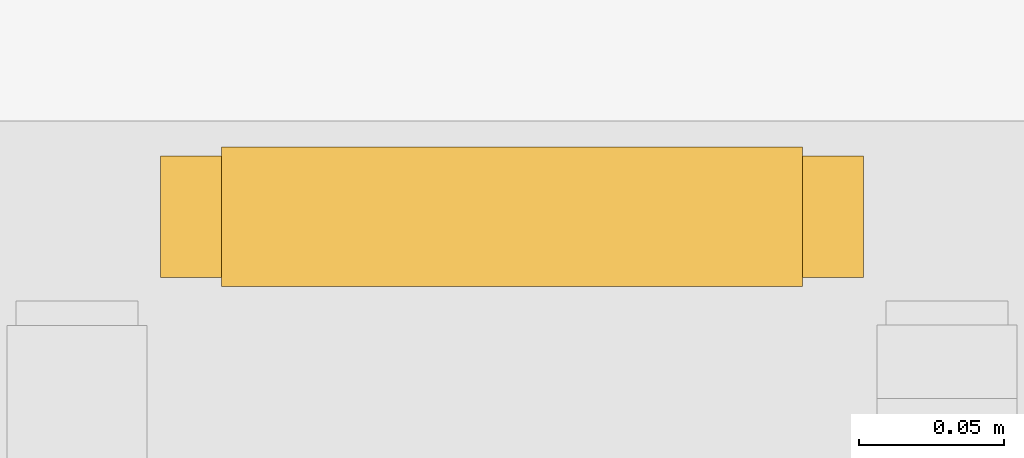
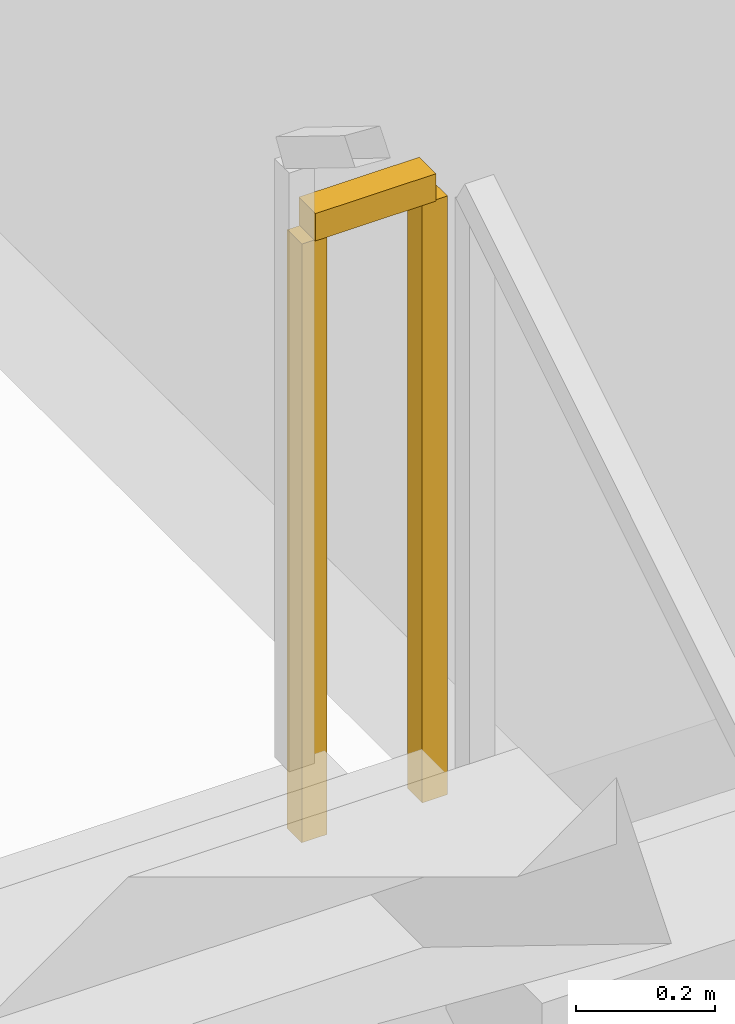
# One storey, part 12 of 13: 1 railing.
"""IFC4 building model written with IfcOpenShell, lengths in metres."""

import ifcopenshell
import ifcopenshell.guid

model = None  # the IFC model being written
_history = None  # IfcOwnerHistory: only IFC2X3 demands one
_inside = {}  # id of a spatial element -> (the spatial element, [elements in it])
_under = {}  # id of a project, library or spatial element -> (it, [spatial elements below it])
_declared = {}  # id of a project -> (the project, [libraries it declares])
_typed = {}  # id of a type object -> (the type object, [elements of that type])
_made_of = {}  # id of a material, layer set ... -> (it, [elements and type objects made of it])


def new_model(schema):
    """Start an empty IFC model of exactly this schema.

    Asked for "IFC4X3", IfcOpenShell would pick the latest addendum, in which some entities
    have other attributes; the version numbers below select the first issue.
    IFC2X3 requires an IfcOwnerHistory on every rooted entity: one is made here for all.
    """
    global model, _history
    if schema == "IFC4X3":
        model = ifcopenshell.file(schema_version=(4, 3, 0, 0))
    else:
        model = ifcopenshell.file(schema=schema)
    _inside.clear()
    _under.clear()
    _declared.clear()
    _typed.clear()
    _made_of.clear()
    _history = None
    if model.schema == "IFC2X3":
        org = make("IfcOrganization", Name="unknown")
        user = make(
            "IfcPersonAndOrganization",
            ThePerson=make("IfcPerson", FamilyName="unknown"),
            TheOrganization=org,
        )
        app = make(
            "IfcApplication",
            ApplicationDeveloper=org,
            Version="unknown",
            ApplicationFullName="unknown",
            ApplicationIdentifier="unknown",
        )
        _history = make(
            "IfcOwnerHistory",
            OwningUser=user,
            OwningApplication=app,
            ChangeAction="ADDED",
            CreationDate=0,
        )
    return model


def make(cls, **values):
    """One entity of the class cls with the attributes given. An attribute that is None is left unset."""
    return model.create_entity(
        cls, **{name: value for name, value in values.items() if value is not None}
    )


def rooted(cls, **values):
    """An entity with a GlobalId (a new one), such as an element, a storey or a relation."""
    return make(cls, GlobalId=ifcopenshell.guid.new(), OwnerHistory=_history, **values)


def si_unit(unit_type, name, prefix=None):
    """IfcSIUnit, for example si_unit("LENGTHUNIT", "METRE", prefix="MILLI")."""
    return make("IfcSIUnit", UnitType=unit_type, Prefix=prefix, Name=name)


def assignment(units):
    """IfcUnitAssignment: the units of a project."""
    return None if units is None else make("IfcUnitAssignment", Units=units)


def point(xyz):
    """IfcCartesianPoint."""
    return None if xyz is None else make("IfcCartesianPoint", Coordinates=xyz)


def direction(xyz):
    """IfcDirection."""
    return None if xyz is None else make("IfcDirection", DirectionRatios=xyz)


def frame(location, z_axis=None, x_axis=None):
    """IfcAxis2Placement3D, a coordinate frame: its origin and axes. An axis left out is left unset."""
    return make(
        "IfcAxis2Placement3D",
        Location=point(location),
        Axis=direction(z_axis),
        RefDirection=direction(x_axis),
    )


def frame_2d(location, x_axis=None):
    """IfcAxis2Placement2D, a coordinate frame in the plane: its origin and x axis."""
    return make(
        "IfcAxis2Placement2D", Location=point(location), RefDirection=direction(x_axis)
    )


def origin():
    """The frame at (0, 0, 0) with its axes left unset."""
    return frame((0.0, 0.0, 0.0))


def origin_2d():
    """The frame at (0, 0) in the plane with its x axis left unset."""
    return frame_2d((0.0, 0.0))


def place(relative_to, where):
    """IfcLocalPlacement: puts the frame where relative to a parent placement (None: the world)."""
    return make(
        "IfcLocalPlacement", PlacementRelTo=relative_to, RelativePlacement=where
    )


def context(
    kind, dimensions, precision=None, world=None, true_north=None, identifier=None
):
    """IfcGeometricRepresentationContext, for example the 3D "Model" context."""
    return make(
        "IfcGeometricRepresentationContext",
        ContextIdentifier=identifier,
        ContextType=kind,
        CoordinateSpaceDimension=dimensions,
        Precision=precision,
        WorldCoordinateSystem=world,
        TrueNorth=true_north,
    )


def subcontext(parent, identifier, kind, view, scale=None):
    """IfcGeometricRepresentationSubContext, for example "Body" below "Model"."""
    return make(
        "IfcGeometricRepresentationSubContext",
        ContextIdentifier=identifier,
        ContextType=kind,
        ParentContext=parent,
        TargetScale=scale,
        TargetView=view,
    )


def project(units=None, contexts=None):
    """IfcProject with its units and contexts."""
    return rooted(
        "IfcProject",
        Name="project",
        RepresentationContexts=contexts,
        UnitsInContext=assignment(units),
    )


def spatial(cls, under=None, at=None, **own):
    """A site, building, storey or space (cls), placed at a placement, below another one or the project."""
    s = rooted(cls, ObjectPlacement=at, **own)
    if under is not None:
        _under.setdefault(under.id(), (under, []))[1].append(s)
    return s


def profile(cls, at=None, kind="AREA", **sizes):
    """A parametric profile (cls). Its sizes go by their IFC names, for example OverallWidth=200.0."""
    return make(cls, ProfileType=kind, Position=at, **sizes)


def rectangle(**sizes):
    """IfcRectangleProfileDef."""
    return profile("IfcRectangleProfileDef", **sizes)


def extrude(swept, where, along, depth):
    """IfcExtrudedAreaSolid: the profile swept, set in the frame where, extruded along a direction by depth."""
    return make(
        "IfcExtrudedAreaSolid",
        SweptArea=swept,
        Position=where,
        ExtrudedDirection=direction(along),
        Depth=depth,
    )


def shape(context_of_items, identifier, shape_type, items):
    """IfcShapeRepresentation: the items that make up one representation, for example the "Body"."""
    return make(
        "IfcShapeRepresentation",
        ContextOfItems=context_of_items,
        RepresentationIdentifier=identifier,
        RepresentationType=shape_type,
        Items=items,
    )


def material(Name=None, Category=None):
    """IfcMaterial."""
    return make("IfcMaterial", Name=Name, Category=Category)


def made_of(thing, what):
    """Note that an element or type object is made of a material, layer set ...; save() writes the relation."""
    if what is not None:
        _made_of.setdefault(what.id(), (what, []))[1].append(thing)
    return thing


def type_object(cls, material=None, **own):
    """A type object (cls), such as IfcWallType, which elements share."""
    return made_of(rooted(cls, **own), material)


def element(
    cls,
    number,
    at=None,
    inside=None,
    cuts=None,
    type_object=None,
    material=None,
    context=None,
    identifier="Body",
    shape_type=None,
    held_by="IfcProductDefinitionShape",
    body=None,
    shapes=None,
    **own,
):
    """One element of the class cls, such as IfcWall. Its Tag is "e" and its number.

    at: its placement. inside: the storey or other place that contains it. cuts: it is an
    opening in that element (IfcRelVoidsElement). A single representation is given by context,
    identifier, shape_type and body (its items); several are given by shapes. held_by: the class
    of the entity that holds the representations. save() writes the other relations.
    """
    e = rooted(cls, Tag="e%d" % number, ObjectPlacement=at, **own)
    if body is not None:
        shapes = [shape(context, identifier, shape_type, body)]
    if shapes is not None:
        e.Representation = make(held_by, Representations=shapes)
    if inside is not None:
        _inside.setdefault(inside.id(), (inside, []))[1].append(e)
    if cuts is not None:
        rooted(
            "IfcRelVoidsElement", RelatingBuildingElement=cuts, RelatedOpeningElement=e
        )
    if type_object is not None:
        _typed.setdefault(type_object.id(), (type_object, []))[1].append(e)
    return made_of(e, material)


def aggregate(whole, parts):
    """IfcRelAggregates: a whole, such as a stair, and the parts it consists of."""
    return rooted("IfcRelAggregates", RelatingObject=whole, RelatedObjects=parts)


def save(model, path):
    """Write the relations noted so far, then the file.

    IfcRelAggregates (storeys below a building ...), IfcRelContainedInSpatialStructure (elements
    in a storey), IfcRelDefinesByType, IfcRelAssociatesMaterial and IfcRelDeclares: one each for
    every whole, place, type object, material and project.
    """
    for whole, parts in _under.values():
        aggregate(whole, parts)
    for where, things in _inside.values():
        rooted(
            "IfcRelContainedInSpatialStructure",
            RelatedElements=things,
            RelatingStructure=where,
        )
    for kind, things in _typed.values():
        rooted("IfcRelDefinesByType", RelatedObjects=things, RelatingType=kind)
    for what, things in _made_of.values():
        rooted("IfcRelAssociatesMaterial", RelatedObjects=things, RelatingMaterial=what)
    for by, libraries in _declared.values():
        rooted("IfcRelDeclares", RelatingContext=by, RelatedDefinitions=libraries)
    model.write(path)


model = new_model("IFC4")

# Units and contexts
model_context = context("Model", 3, precision=1e-05, world=origin(), true_north=direction((0.0, 1.0)))
body_context = subcontext(model_context, "Body", "Model", "MODEL_VIEW")
ifc_project = project(units=[si_unit("LENGTHUNIT", "METRE"), si_unit("AREAUNIT", "SQUARE_METRE"), si_unit("VOLUMEUNIT", "CUBIC_METRE"), si_unit("PLANEANGLEUNIT", "RADIAN"), si_unit("MASSUNIT", "GRAM", prefix="KILO")], contexts=[model_context])

# Site, building, storey
site_placement = place(None, origin())
site = spatial("IfcSite", under=ifc_project, at=site_placement, CompositionType="ELEMENT")
building_placement = place(site_placement, origin())
building = spatial("IfcBuilding", under=site, at=building_placement, Name="Haldorwick Loom Tower", CompositionType="ELEMENT")
storey_placement = place(building_placement, frame((0.0, 0.0, 142.550048828125)))
storey = spatial("IfcBuildingStorey", under=building, at=storey_placement, Name="L38", CompositionType="ELEMENT", Elevation=142.550048828125)

# Railing
ifc_material = material(Name="Steel CSA G40.21 350W", Category="steel")
railing_type = type_object("IfcRailingType", Name="ARC-RLG-GUARD112", PredefinedType="GUARDRAIL", material=ifc_material)
railing_placement = place(storey_placement, frame((31.85009765625, 30.969970703125, 1.724853515625)))
element("IfcRailing", 1, at=railing_placement, inside=storey, type_object=railing_type, Name="L38 ST-03 stair guard 2", PredefinedType="GUARDRAIL", context=body_context, shape_type="SweptSolid", body=[
    extrude(rectangle(XDim=0.048095703125, YDim=0.048095703125, at=origin_2d()), frame((0.0, 0.0, 1.076171875), z_axis=(-1.0, 0.0, 0.0), x_axis=(0.0, -1.0, 0.0)), (0.0, 0.0, 1.0), 0.2001953125),
    extrude(rectangle(XDim=0.0419921875, YDim=0.0419921875, at=origin_2d()), origin(), (0.0, 0.0, 1.0), 1.052001953125),
    extrude(rectangle(XDim=0.0419921875, YDim=0.0419921875, at=origin_2d()), frame((-0.2001953125, 0.0, 0.0)), (0.0, 0.0, 1.0), 1.052001953125),
])

save(model, "model.ifc")
